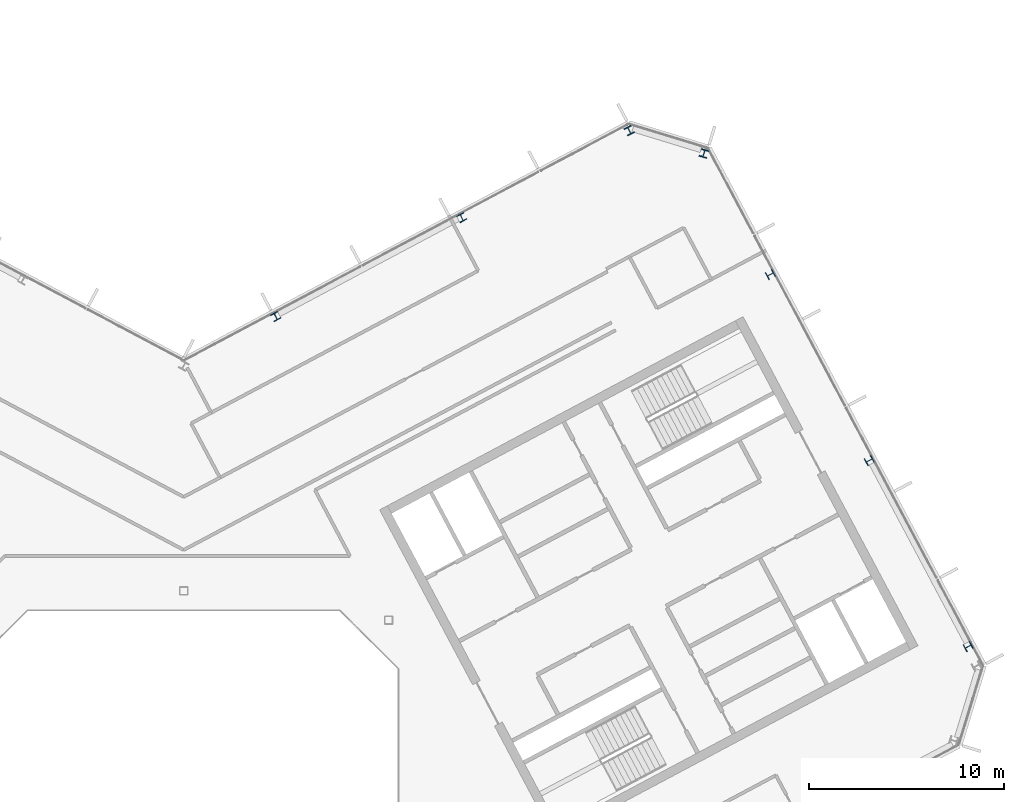
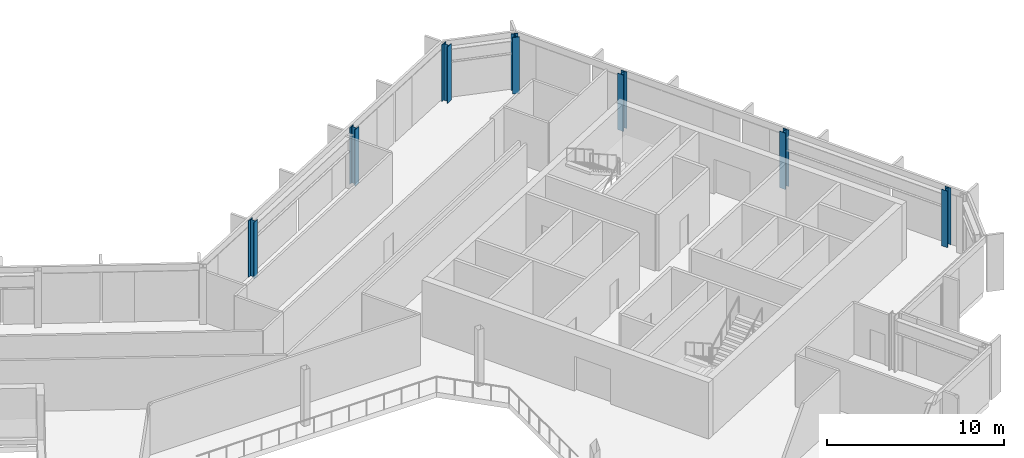
# One storey, part 7 of 25: 7 columns.
"""IFC4 building model written with IfcOpenShell, lengths in metres."""

from ifc_helpers import new_model, si_unit, direction, frame, origin, origin_2d, place, context, subcontext, project, spatial, i_section, extrude, material, material_profile, profile_set, type_object, element, save


model = new_model("IFC4")

# Units and contexts
model_context = context("Model", 3, precision=1e-05, world=origin(), true_north=direction((0.0, 1.0)))
body_context = subcontext(model_context, "Body", "Model", "MODEL_VIEW")
ifc_project = project(units=[si_unit("LENGTHUNIT", "METRE"), si_unit("AREAUNIT", "SQUARE_METRE"), si_unit("VOLUMEUNIT", "CUBIC_METRE"), si_unit("PLANEANGLEUNIT", "RADIAN"), si_unit("MASSUNIT", "GRAM", prefix="KILO")], contexts=[model_context])

# Site, building, storey
site_placement = place(None, origin())
site = spatial("IfcSite", under=ifc_project, at=site_placement, CompositionType="ELEMENT")
building_placement = place(site_placement, origin())
building = spatial("IfcBuilding", under=site, at=building_placement, Name="Cormorant Relay Tower", CompositionType="ELEMENT")
storey_placement = place(building_placement, frame((0.0, 0.0, 289.199951171875)))
storey = spatial("IfcBuildingStorey", under=building, at=storey_placement, Name="L65", CompositionType="ELEMENT", Elevation=289.199951171875)

# Columns
ifc_material_1 = material(Name="Steel ASTM A992 (Fy 345 MPa)", Category="steel")
ifc_material_profile_1 = material_profile(ifc_material_1, i_section(OverallWidth=0.398681640625, OverallDepth=0.385986328125, WebThickness=0.02099609375, FlangeThickness=0.033203125, FilletRadius=0.01513671875, at=origin_2d()), Name="W360x262")
ifc_profile_set_1 = profile_set([ifc_material_profile_1], Name="Steel ASTM A992 (Fy 345 MPa)")
column_type_1 = type_object("IfcColumnType", Name="Column W360x262", PredefinedType="COLUMN", material=ifc_profile_set_1)
for number, where, z_axis, x_axis, name in (
    (1, (40.2119140625, 9.14892578125, 0.0), (0.0, 0.0, 1.0), (-0.469471562786, 0.882947592859, 0.0), "Column L65-021"),
    (2, (35.14111328125, 18.68505859375, 0.0), (0.0, 0.0, 1.0), (-0.469471562786, 0.882947592859, 0.0), "Column L65-027"),
    (3, (4.715087890625, 26.06494140625, 0.0), (0.0, 0.0, 1.0), (-0.882947592859, -0.469471562786, 0.0), "Column L65-031"),
    (4, (30.071044921875, 28.220947265625, 0.0), (0.0, 0.0, 1.0), (-0.469471562786, 0.882947592859, 0.0), "Column L65-033"),
    (5, (14.2509765625, 31.135009765625, 0.0), (0.0, 0.0, 1.0), (-0.882947592859, -0.469471562786, 0.0), "Column L65-035"),
):
    element("IfcColumn", number, at=place(storey_placement, frame(where, z_axis=z_axis, x_axis=x_axis)), inside=storey, type_object=column_type_1, Name=name, PredefinedType="COLUMN", context=body_context, shape_type="SweptSolid", body=[
        extrude(i_section(OverallWidth=0.398681640625, OverallDepth=0.385986328125, WebThickness=0.02099609375, FlangeThickness=0.033203125, FilletRadius=0.01513671875, at=origin_2d()), origin(), (0.0, 0.0, 1.0), 3.900146484375),
    ])
ifc_material_2 = material(Name="Steel ASTM A992 (Fy 345 MPa)", Category="steel")
ifc_material_profile_2 = material_profile(ifc_material_2, i_section(OverallWidth=0.40380859375, OverallDepth=0.406494140625, WebThickness=0.027099609375, FlangeThickness=0.043701171875, FilletRadius=0.01513671875, at=origin_2d()), Name="W360x347")
ifc_profile_set_2 = profile_set([ifc_material_profile_2], Name="Steel ASTM A992 (Fy 345 MPa)")
column_type_2 = type_object("IfcColumnType", Name="Column W360x347", PredefinedType="COLUMN", material=ifc_profile_set_2)
for number, where, z_axis, x_axis, name in (
    (6, (26.6640625, 34.425048828125, 0.0), (0.0, 0.0, 1.0), (-0.956304755963, 0.292371704723, 0.0), "Column L65-038"),
    (7, (22.841064453125, 35.593994140625, 0.0), (0.0, 0.0, 1.0), (-0.882947592859, -0.469471562786, 0.0), "Column L65-039"),
):
    element("IfcColumn", number, at=place(storey_placement, frame(where, z_axis=z_axis, x_axis=x_axis)), inside=storey, type_object=column_type_2, Name=name, PredefinedType="COLUMN", context=body_context, shape_type="SweptSolid", body=[
        extrude(i_section(OverallWidth=0.40380859375, OverallDepth=0.406494140625, WebThickness=0.027099609375, FlangeThickness=0.043701171875, FilletRadius=0.01513671875, at=origin_2d()), origin(), (0.0, 0.0, 1.0), 3.900146484375),
    ])

save(model, "model.ifc")
